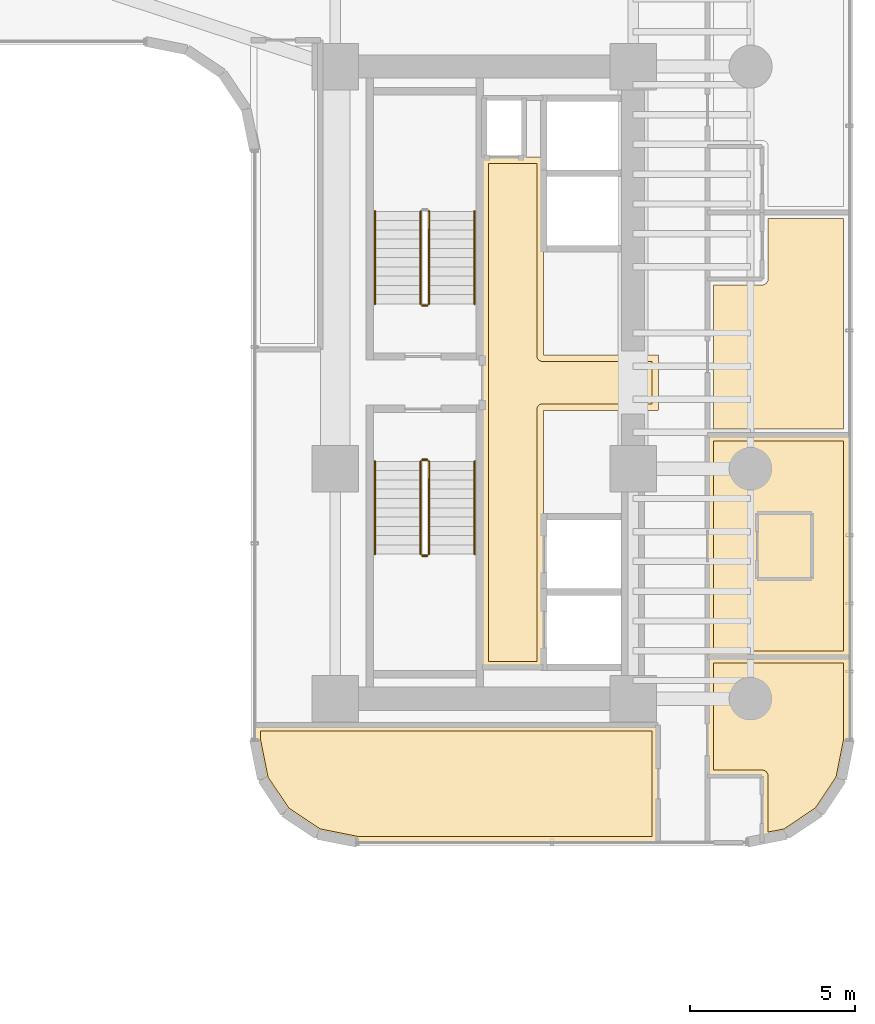
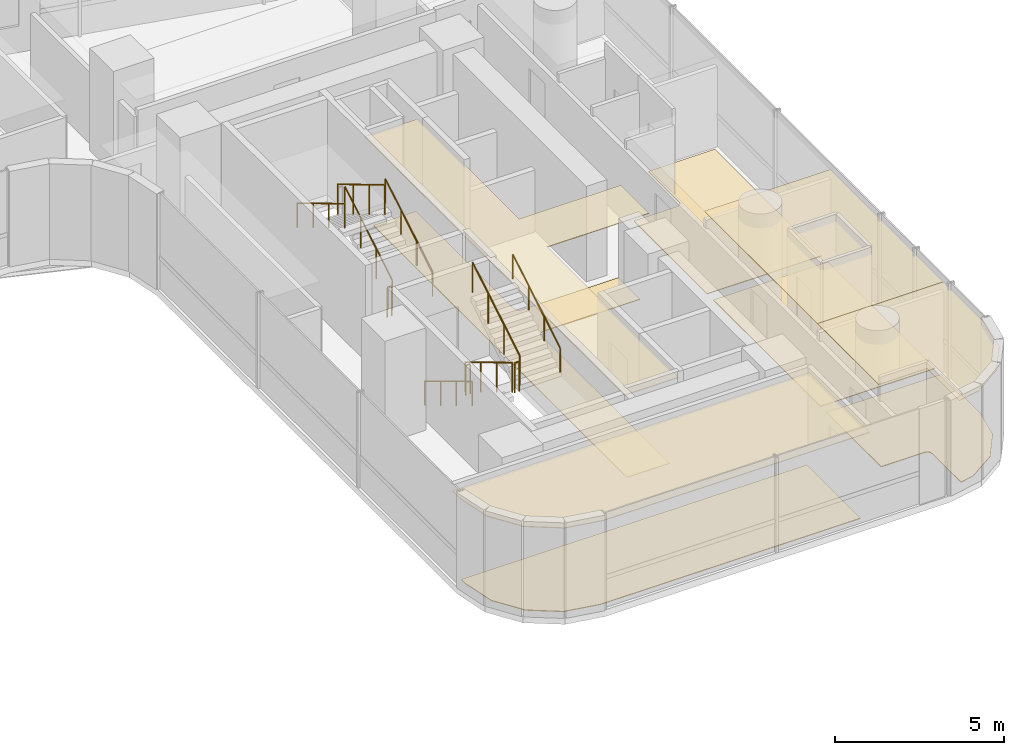
# One storey, part 37 of 39: 11 railings, 9 coverings.
"""IFC4 building model written with IfcOpenShell, lengths in metres."""

from ifc_helpers import new_model, si_unit, direction, frame, origin, origin_2d, place, context, subcontext, project, spatial, polyline, circle, outline, extrude, material, layer, layer_set, type_object, element, save


model = new_model("IFC4")

# Units and contexts
model_context = context("Model", 3, precision=1e-05, world=origin(), true_north=direction((0.0, 1.0)))
body_context = subcontext(model_context, "Body", "Model", "MODEL_VIEW")
ifc_project = project(units=[si_unit("LENGTHUNIT", "METRE"), si_unit("AREAUNIT", "SQUARE_METRE"), si_unit("VOLUMEUNIT", "CUBIC_METRE"), si_unit("PLANEANGLEUNIT", "RADIAN"), si_unit("MASSUNIT", "GRAM", prefix="KILO")], contexts=[model_context])

# Site, building, storey
site_placement = place(None, origin())
site = spatial("IfcSite", under=ifc_project, at=site_placement, CompositionType="ELEMENT")
building_placement = place(site_placement, origin())
building = spatial("IfcBuilding", under=site, at=building_placement, Name="Valdorenza Pilgrim Sanctuary Tower", CompositionType="ELEMENT")
storey_placement = place(building_placement, frame((0.0, 0.0, 70.39990234375)))
storey = spatial("IfcBuildingStorey", under=building, at=storey_placement, Name="L17", CompositionType="ELEMENT", Elevation=70.39990234375)

# Coverings
ifc_material_1 = material(Name="Micro-perforated acoustic mineral ceiling tile", Category="gypsum")
ifc_layer_1 = layer(ifc_material_1, 0.02490234375, Name="Micro-perforated acoustic mineral ceiling tile")
ifc_layer_set_1 = layer_set([ifc_layer_1], Name="Micro-perforated acoustic mineral ceiling tile")
covering_type_1 = type_object("IfcCoveringType", Name="COV-CLG-ACU", PredefinedType="CEILING", material=ifc_layer_set_1)
covering_1_placement = place(storey_placement, frame((0.0, 0.0, 3.16015625)))
element("IfcCovering", 1, at=covering_1_placement, inside=storey, type_object=covering_type_1, Name="L17 Core B Passenger Lift Lobby Acoustic Ceiling", PredefinedType="CEILING", context=body_context, shape_type="SweptSolid", body=[
    extrude(outline(polyline([(20.287109375, -0.814697265625), (20.287109375, 0.814697265625), (20.28662109375, 0.815185546875), (20.2861328125, 0.81640625), (20.28564453125, 0.81787109375), (20.285400390625, 0.819091796875), (20.28515625, 0.820556640625), (20.284912109375, 0.822021484375), (20.284912109375, 6.800048828125), (20.28515625, 6.801513671875), (20.285400390625, 6.802978515625), (20.28564453125, 6.804443359375), (20.2861328125, 6.8056640625), (20.286865234375, 6.80712890625), (20.28759765625, 6.808349609375), (20.288330078125, 6.8095703125), (20.289306640625, 6.810546875), (20.29052734375, 6.8115234375), (20.291748046875, 6.8125), (20.29296875, 6.813232421875), (20.294189453125, 6.81396484375), (20.295654296875, 6.814453125), (20.297119140625, 6.814697265625), (20.298583984375, 6.81494140625), (20.300048828125, 6.81494140625), (20.347900390625, 6.81494140625), (20.349365234375, 6.81494140625), (20.350830078125, 6.814697265625), (20.352294921875, 6.814453125), (20.353515625, 6.81396484375), (20.35498046875, 6.813232421875), (20.35546875, 6.81298828125), (21.544677734375, 6.81298828125), (21.545166015625, 6.813232421875), (21.54638671875, 6.81396484375), (21.5478515625, 6.814453125), (21.54931640625, 6.814697265625), (21.550537109375, 6.81494140625), (21.552001953125, 6.81494140625), (22.1201171875, 6.81494140625), (22.12158203125, 6.81494140625), (22.122802734375, 6.814697265625), (22.12451171875, 6.814453125), (22.125732421875, 6.81396484375), (22.127197265625, 6.813232421875), (22.12841796875, 6.8125), (22.12939453125, 6.8115234375), (22.130615234375, 6.810546875), (22.131591796875, 6.8095703125), (22.132568359375, 6.808349609375), (22.13330078125, 6.80712890625), (22.1337890625, 6.8056640625), (22.134521484375, 6.804443359375), (22.134765625, 6.802978515625), (22.135009765625, 6.801513671875), (22.135009765625, 6.800048828125), (22.135009765625, 0.8349609375), (25.60009765625, 0.8349609375), (25.6015625, 0.8349609375), (25.602783203125, 0.834716796875), (25.6044921875, 0.83447265625), (25.605712890625, 0.833984375), (25.607177734375, 0.833251953125), (25.6083984375, 0.83251953125), (25.609619140625, 0.83154296875), (25.610595703125, 0.83056640625), (25.611572265625, 0.82958984375), (25.612548828125, 0.828369140625), (25.61328125, 0.8271484375), (25.614013671875, 0.82568359375), (25.614501953125, 0.824462890625), (25.61474609375, 0.822998046875), (25.614990234375, 0.821533203125), (25.614990234375, 0.820068359375), (25.614990234375, -0.820068359375), (25.614990234375, -0.821533203125), (25.61474609375, -0.822998046875), (25.614501953125, -0.824462890625), (25.614013671875, -0.82568359375), (25.61328125, -0.8271484375), (25.612548828125, -0.828369140625), (25.611572265625, -0.82958984375), (25.610595703125, -0.83056640625), (25.609619140625, -0.83154296875), (25.6083984375, -0.83251953125), (25.607177734375, -0.833251953125), (25.605712890625, -0.833984375), (25.6044921875, -0.83447265625), (25.602783203125, -0.834716796875), (25.6015625, -0.8349609375), (25.60009765625, -0.8349609375), (22.135009765625, -0.8349609375), (22.135009765625, -8.60009765625), (22.135009765625, -8.6015625), (22.134765625, -8.602783203125), (22.134521484375, -8.6044921875), (22.1337890625, -8.605712890625), (22.13330078125, -8.607177734375), (22.132568359375, -8.6083984375), (22.131591796875, -8.609619140625), (22.130615234375, -8.610595703125), (22.12939453125, -8.611572265625), (22.12841796875, -8.612548828125), (22.127197265625, -8.61328125), (22.125732421875, -8.614013671875), (22.12451171875, -8.614501953125), (22.122802734375, -8.61474609375), (22.12158203125, -8.614990234375), (22.1201171875, -8.614990234375), (20.300048828125, -8.614990234375), (20.298583984375, -8.614990234375), (20.297119140625, -8.61474609375), (20.295654296875, -8.614501953125), (20.294189453125, -8.614013671875), (20.29296875, -8.61328125), (20.291748046875, -8.612548828125), (20.29052734375, -8.611572265625), (20.289306640625, -8.610595703125), (20.288330078125, -8.609619140625), (20.28759765625, -8.6083984375), (20.286865234375, -8.607177734375), (20.2861328125, -8.605712890625), (20.28564453125, -8.6044921875), (20.285400390625, -8.602783203125), (20.28515625, -8.6015625), (20.284912109375, -8.60009765625), (20.284912109375, -0.822021484375), (20.28515625, -0.820556640625), (20.285400390625, -0.819091796875), (20.28564453125, -0.81787109375), (20.2861328125, -0.81640625), (20.28662109375, -0.815185546875), (20.287109375, -0.814697265625)])), origin(), (0.0, 0.0, 1.0), 0.02490234375),
])
covering_2_placement = place(storey_placement, frame((0.0, 0.0, 3.16015625)))
element("IfcCovering", 2, at=covering_2_placement, inside=storey, type_object=covering_type_1, Name="L17 Theological Reference Library L17-BS Acoustic Ceiling", PredefinedType="CEILING", context=body_context, shape_type="SweptSolid", body=[
    extrude(outline(polyline([(25.614990234375, -13.889892578125), (25.614990234375, -13.8916015625), (25.61474609375, -13.892822265625), (25.614501953125, -13.894287109375), (25.614013671875, -13.895751953125), (25.61328125, -13.897216796875), (25.612548828125, -13.898193359375), (25.611572265625, -13.8994140625), (25.610595703125, -13.900634765625), (25.609619140625, -13.901611328125), (25.6083984375, -13.902587890625), (25.607177734375, -13.9033203125), (25.605712890625, -13.90380859375), (25.6044921875, -13.904296875), (25.602783203125, -13.90478515625), (25.6015625, -13.90478515625), (25.60009765625, -13.905029296875), (16.5107421875, -13.905029296875), (16.509521484375, -13.90478515625), (16.5078125, -13.90478515625), (15.3154296875, -13.66748046875), (15.31396484375, -13.6669921875), (15.3125, -13.66650390625), (15.311279296875, -13.666015625), (15.31005859375, -13.665283203125), (14.308349609375, -12.995849609375), (14.30712890625, -12.9951171875), (14.305908203125, -12.993896484375), (14.304931640625, -12.992919921875), (14.30419921875, -12.99169921875), (13.634765625, -11.989990234375), (13.634033203125, -11.98876953125), (13.63330078125, -11.9873046875), (13.6328125, -11.986083984375), (13.632568359375, -11.984619140625), (13.395263671875, -10.7919921875), (13.39501953125, -10.79052734375), (13.39501953125, -10.789306640625), (13.39501953125, -10.35009765625), (13.39501953125, -10.348388671875), (13.395263671875, -10.34716796875), (13.3955078125, -10.345703125), (13.39599609375, -10.34423828125), (13.396728515625, -10.343017578125), (13.3974609375, -10.341796875), (13.3984375, -10.340576171875), (13.3994140625, -10.33935546875), (13.400390625, -10.33837890625), (13.401611328125, -10.33740234375), (13.40283203125, -10.3369140625), (13.404296875, -10.336181640625), (13.405517578125, -10.335693359375), (13.406982421875, -10.335205078125), (13.408447265625, -10.335205078125), (13.409912109375, -10.3349609375), (25.60009765625, -10.3349609375), (25.6015625, -10.335205078125), (25.602783203125, -10.335205078125), (25.6044921875, -10.335693359375), (25.605712890625, -10.336181640625), (25.607177734375, -10.3369140625), (25.6083984375, -10.33740234375), (25.609619140625, -10.33837890625), (25.610595703125, -10.33935546875), (25.611572265625, -10.340576171875), (25.612548828125, -10.341796875), (25.61328125, -10.343017578125), (25.614013671875, -10.34423828125), (25.614501953125, -10.345703125), (25.61474609375, -10.34716796875), (25.614990234375, -10.348388671875), (25.614990234375, -10.35009765625), (25.614990234375, -13.889892578125)])), origin(), (0.0, 0.0, 1.0), 0.02490234375),
])
covering_3_placement = place(storey_placement, frame((0.0, 0.0, 3.16015625)))
element("IfcCovering", 3, at=covering_3_placement, inside=storey, type_object=covering_type_1, Name="L17 East Sanctuary Guest Room L17-EG1 Acoustic Ceiling", PredefinedType="CEILING", context=body_context, shape_type="SweptSolid", body=[
    extrude(outline(polyline([(28.737060546875, -11.903076171875), (27.10009765625, -11.903076171875), (27.098388671875, -11.90283203125), (27.09716796875, -11.902587890625), (27.095703125, -11.90234375), (27.09423828125, -11.90185546875), (27.093017578125, -11.901123046875), (27.091796875, -11.900390625), (27.090576171875, -11.899658203125), (27.08935546875, -11.898681640625), (27.08837890625, -11.8974609375), (27.08740234375, -11.896240234375), (27.0869140625, -11.89501953125), (27.086181640625, -11.893798828125), (27.085693359375, -11.892333984375), (27.085205078125, -11.890869140625), (27.085205078125, -11.889404296875), (27.0849609375, -11.887939453125), (27.0849609375, -8.287109375), (27.085205078125, -8.285400390625), (27.085205078125, -8.2841796875), (27.085693359375, -8.28271484375), (27.086181640625, -8.28125), (27.0869140625, -8.27978515625), (27.08740234375, -8.27880859375), (27.08837890625, -8.277587890625), (27.08935546875, -8.2763671875), (27.090576171875, -8.275390625), (27.091796875, -8.2744140625), (27.093017578125, -8.273681640625), (27.09423828125, -8.273193359375), (27.095703125, -8.272705078125), (27.09716796875, -8.272216796875), (27.098388671875, -8.272216796875), (27.10009765625, -8.27197265625), (31.389892578125, -8.27197265625), (31.3916015625, -8.272216796875), (31.392822265625, -8.272216796875), (31.394287109375, -8.272705078125), (31.395751953125, -8.273193359375), (31.397216796875, -8.273681640625), (31.398193359375, -8.2744140625), (31.3994140625, -8.275390625), (31.400634765625, -8.2763671875), (31.401611328125, -8.277587890625), (31.402587890625, -8.27880859375), (31.4033203125, -8.27978515625), (31.40380859375, -8.28125), (31.404296875, -8.28271484375), (31.40478515625, -8.2841796875), (31.40478515625, -8.285400390625), (31.405029296875, -8.287109375), (31.405029296875, -10.789306640625), (31.40478515625, -10.79052734375), (31.40478515625, -10.7919921875), (31.16748046875, -11.984619140625), (31.1669921875, -11.986083984375), (31.16650390625, -11.9873046875), (31.166015625, -11.98876953125), (31.165283203125, -11.989990234375), (30.495849609375, -12.99169921875), (30.4951171875, -12.992919921875), (30.493896484375, -12.993896484375), (30.492919921875, -12.9951171875), (30.49169921875, -12.995849609375), (29.489990234375, -13.665283203125), (29.48876953125, -13.666015625), (29.4873046875, -13.66650390625), (29.486083984375, -13.6669921875), (29.484619140625, -13.66748046875), (28.7548828125, -13.8125), (28.75341796875, -13.81298828125), (28.751953125, -13.81298828125), (28.75048828125, -13.81298828125), (28.7490234375, -13.8125), (28.74755859375, -13.812255859375), (28.746337890625, -13.811767578125), (28.744873046875, -13.811279296875), (28.74365234375, -13.810302734375), (28.742431640625, -13.8095703125), (28.741455078125, -13.80859375), (28.740478515625, -13.807373046875), (28.739501953125, -13.806396484375), (28.73876953125, -13.804931640625), (28.738037109375, -13.8037109375), (28.737548828125, -13.80224609375), (28.7373046875, -13.80078125), (28.737060546875, -13.79931640625), (28.737060546875, -13.7978515625), (28.737060546875, -11.903076171875)])), origin(), (0.0, 0.0, 1.0), 0.02490234375),
])
covering_4_placement = place(storey_placement, frame((0.0, 0.0, 3.16015625)))
element("IfcCovering", 4, at=covering_4_placement, inside=storey, type_object=covering_type_1, Name="L17 East Sanctuary Guest Room L17-EG2 Acoustic Ceiling", PredefinedType="CEILING", context=body_context, shape_type="SweptSolid", body=[
    extrude(outline(polyline([(31.389892578125, -1.56005859375), (31.3916015625, -1.56005859375), (31.392822265625, -1.560302734375), (31.394287109375, -1.560546875), (31.395751953125, -1.56103515625), (31.397216796875, -1.561767578125), (31.398193359375, -1.5625), (31.3994140625, -1.5634765625), (31.400634765625, -1.564453125), (31.401611328125, -1.5654296875), (31.402587890625, -1.566650390625), (31.4033203125, -1.56787109375), (31.40380859375, -1.5693359375), (31.404296875, -1.570556640625), (31.40478515625, -1.572021484375), (31.40478515625, -1.573486328125), (31.405029296875, -1.574951171875), (31.405029296875, -8.284912109375), (31.40478515625, -8.28662109375), (31.40478515625, -8.287841796875), (31.404296875, -8.289306640625), (31.40380859375, -8.290771484375), (31.4033203125, -8.2919921875), (31.402587890625, -8.293212890625), (31.401611328125, -8.29443359375), (31.400634765625, -8.295654296875), (31.3994140625, -8.296630859375), (31.398193359375, -8.297607421875), (31.397216796875, -8.298095703125), (31.395751953125, -8.298828125), (31.394287109375, -8.29931640625), (31.392822265625, -8.2998046875), (31.3916015625, -8.2998046875), (31.389892578125, -8.300048828125), (27.10009765625, -8.300048828125), (27.098388671875, -8.2998046875), (27.09716796875, -8.2998046875), (27.095703125, -8.29931640625), (27.09423828125, -8.298828125), (27.093017578125, -8.298095703125), (27.091796875, -8.297607421875), (27.090576171875, -8.296630859375), (27.08935546875, -8.295654296875), (27.08837890625, -8.29443359375), (27.08740234375, -8.293212890625), (27.0869140625, -8.2919921875), (27.086181640625, -8.290771484375), (27.085693359375, -8.289306640625), (27.085205078125, -8.287841796875), (27.085205078125, -8.28662109375), (27.0849609375, -8.284912109375), (27.0849609375, -1.574951171875), (27.085205078125, -1.573486328125), (27.085205078125, -1.572021484375), (27.085693359375, -1.570556640625), (27.086181640625, -1.5693359375), (27.0869140625, -1.56787109375), (27.08740234375, -1.566650390625), (27.08837890625, -1.5654296875), (27.08935546875, -1.564453125), (27.090576171875, -1.5634765625), (27.091796875, -1.5625), (27.093017578125, -1.561767578125), (27.09423828125, -1.56103515625), (27.095703125, -1.560546875), (27.09716796875, -1.560302734375), (27.098388671875, -1.56005859375), (27.10009765625, -1.56005859375), (31.389892578125, -1.56005859375)])), origin(), (0.0, 0.0, 1.0), 0.02490234375),
])
ifc_material_2 = material(Name="Engineered European oak timber flooring", Category="wood")
ifc_layer_2 = layer(ifc_material_2, 0.02197265625, Name="Engineered European oak timber flooring")
ifc_layer_set_2 = layer_set([ifc_layer_2], Name="Engineered European oak timber flooring")
covering_type_2 = type_object("IfcCoveringType", Name="COV-FLR-OAK", PredefinedType="FLOORING", material=ifc_layer_set_2)
covering_5_placement = place(storey_placement, origin())
element("IfcCovering", 5, at=covering_5_placement, inside=storey, type_object=covering_type_2, Name="L17 East Sanctuary Guest Room L17-EG1 Flooring", PredefinedType="FLOORING", context=body_context, shape_type="SweptSolid", body=[
    extrude(outline(polyline([(31.2099609375, -10.771484375), (30.983154296875, -11.911376953125), (30.353515625, -12.853515625), (29.411376953125, -13.483154296875), (28.931884765625, -13.57861328125), (28.931884765625, -11.889892578125), (28.931884765625, -11.881103515625), (28.931884765625, -11.881103515625), (28.929931640625, -11.86328125), (28.929931640625, -11.86328125), (28.926513671875, -11.845947265625), (28.926513671875, -11.845703125), (28.92138671875, -11.828857421875), (28.92138671875, -11.82861328125), (28.91455078125, -11.812255859375), (28.91455078125, -11.81201171875), (28.90625, -11.79638671875), (28.906005859375, -11.79638671875), (28.896240234375, -11.78173828125), (28.89599609375, -11.781494140625), (28.885009765625, -11.767822265625), (28.884765625, -11.767578125), (28.872314453125, -11.755126953125), (28.8720703125, -11.755126953125), (28.8583984375, -11.743896484375), (28.8583984375, -11.743896484375), (28.843505859375, -11.73388671875), (28.843505859375, -11.73388671875), (28.827880859375, -11.7255859375), (28.82763671875, -11.725341796875), (28.811279296875, -11.71875), (28.811279296875, -11.718505859375), (28.794189453125, -11.71337890625), (28.794189453125, -11.71337890625), (28.77685546875, -11.7099609375), (28.776611328125, -11.7099609375), (28.759033203125, -11.708251953125), (28.7587890625, -11.708251953125), (28.75, -11.7080078125), (27.280029296875, -11.7080078125), (27.280029296875, -8.467041015625), (31.2099609375, -8.467041015625), (31.2099609375, -10.771484375)])), origin(), (0.0, 0.0, 1.0), 0.025146484375),
])
covering_6_placement = place(storey_placement, origin())
element("IfcCovering", 6, at=covering_6_placement, inside=storey, type_object=covering_type_2, Name="L17 East Sanctuary Guest Room L17-EG2 Flooring", PredefinedType="FLOORING", context=body_context, shape_type="SweptSolid", body=[
    extrude(outline(polyline([(31.2099609375, -1.7548828125), (31.2099609375, -8.10498046875), (27.280029296875, -8.10498046875), (27.280029296875, -1.7548828125), (31.2099609375, -1.7548828125)])), origin(), (0.0, 0.0, 1.0), 0.025146484375),
])
covering_7_placement = place(storey_placement, origin())
element("IfcCovering", 7, at=covering_7_placement, inside=storey, type_object=covering_type_2, Name="L17 East Sanctuary Guest Room L17-EG3 Flooring", PredefinedType="FLOORING", context=body_context, shape_type="SweptSolid", body=[
    extrude(outline(polyline([(27.280029296875, 2.9560546875), (28.75, 2.9560546875), (28.7587890625, 2.956298828125), (28.759033203125, 2.956298828125), (28.776611328125, 2.9580078125), (28.77685546875, 2.9580078125), (28.794189453125, 2.96142578125), (28.794189453125, 2.96142578125), (28.811279296875, 2.966552734375), (28.811279296875, 2.966796875), (28.82763671875, 2.973388671875), (28.827880859375, 2.973388671875), (28.843505859375, 2.981689453125), (28.843505859375, 2.98193359375), (28.8583984375, 2.99169921875), (28.8583984375, 2.991943359375), (28.8720703125, 3.003173828125), (28.872314453125, 3.003173828125), (28.884765625, 3.015625), (28.885009765625, 3.015869140625), (28.89599609375, 3.029541015625), (28.896240234375, 3.02978515625), (28.906005859375, 3.04443359375), (28.90625, 3.04443359375), (28.91455078125, 3.06005859375), (28.91455078125, 3.060302734375), (28.92138671875, 3.07666015625), (28.92138671875, 3.076904296875), (28.926513671875, 3.09375), (28.926513671875, 3.093994140625), (28.929931640625, 3.111083984375), (28.929931640625, 3.111328125), (28.931884765625, 3.12890625), (28.931884765625, 3.129150390625), (28.931884765625, 3.137939453125), (28.931884765625, 4.9580078125), (31.2099609375, 4.9580078125), (31.2099609375, -1.39306640625), (27.280029296875, -1.39306640625), (27.280029296875, 2.9560546875)])), origin(), (0.0, 0.0, 1.0), 0.025146484375),
])
ifc_material_3 = material(Name="Honed travertine stone flooring", Category="masonry")
ifc_layer_3 = layer(ifc_material_3, 0.030029296875, Name="Honed travertine stone flooring")
ifc_layer_set_3 = layer_set([ifc_layer_3], Name="Honed travertine stone flooring")
covering_type_3 = type_object("IfcCoveringType", Name="COV-FLR-TRV", PredefinedType="FLOORING", material=ifc_layer_set_3)
covering_8_placement = place(storey_placement, origin())
element("IfcCovering", 8, at=covering_8_placement, inside=storey, type_object=covering_type_3, Name="L17 Core B Passenger Lift Lobby Flooring", PredefinedType="FLOORING", context=body_context, shape_type="SweptSolid", body=[
    extrude(outline(polyline([(20.47998046875, 6.617919921875), (21.550048828125, 6.617919921875), (21.550537109375, 6.617919921875), (21.93994140625, 6.619384765625), (21.93994140625, 0.820068359375), (21.94091796875, 0.802490234375), (21.943603515625, 0.784912109375), (21.94775390625, 0.767578125), (21.95361328125, 0.751220703125), (21.961181640625, 0.735107421875), (21.97021484375, 0.719970703125), (21.98095703125, 0.705810546875), (21.99267578125, 0.692626953125), (22.005859375, 0.680908203125), (22.02001953125, 0.67041015625), (22.03515625, 0.661376953125), (22.051025390625, 0.65380859375), (22.067626953125, 0.647705078125), (22.0849609375, 0.6435546875), (22.102294921875, 0.640869140625), (22.1201171875, 0.639892578125), (25.419921875, 0.639892578125), (25.419921875, -0.639892578125), (22.1201171875, -0.639892578125), (22.102294921875, -0.640869140625), (22.0849609375, -0.6435546875), (22.067626953125, -0.647705078125), (22.051025390625, -0.65380859375), (22.03515625, -0.661376953125), (22.02001953125, -0.67041015625), (22.005859375, -0.680908203125), (21.99267578125, -0.692626953125), (21.98095703125, -0.705810546875), (21.97021484375, -0.719970703125), (21.961181640625, -0.735107421875), (21.95361328125, -0.751220703125), (21.94775390625, -0.767578125), (21.943603515625, -0.784912109375), (21.94091796875, -0.802490234375), (21.93994140625, -0.820068359375), (21.93994140625, -8.419921875), (20.47998046875, -8.419921875), (20.47998046875, -0.846923828125), (20.47998046875, -0.8466796875), (20.47998046875, -0.8466796875), (20.481689453125, -0.8291015625), (20.481689453125, -0.828857421875), (20.48193359375, -0.820068359375), (20.48193359375, 0.820068359375), (20.47998046875, 6.617919921875)])), origin(), (0.0, 0.0, 1.0), 0.025146484375),
])
covering_9_placement = place(storey_placement, origin())
element("IfcCovering", 9, at=covering_9_placement, inside=storey, type_object=covering_type_3, Name="L17 Theological Reference Library L17-BS Flooring", PredefinedType="FLOORING", context=body_context, shape_type="SweptSolid", body=[
    extrude(outline(polyline([(25.419921875, -13.7099609375), (16.528564453125, -13.7099609375), (15.388671875, -13.483154296875), (14.4462890625, -12.853515625), (13.81689453125, -11.911376953125), (13.590087890625, -10.771484375), (13.590087890625, -10.530029296875), (25.419921875, -10.530029296875), (25.419921875, -13.7099609375)])), origin(), (0.0, 0.0, 1.0), 0.025146484375),
])

# Railings
ifc_material_4 = material(Name="Stainless steel Grade 316", Category="steel")
railing_type_1 = type_object("IfcRailingType", Name="RLG-GRD-1120", PredefinedType="GUARDRAIL", material=ifc_material_4)
railing_1_placement = place(storey_placement, frame((18.679931640625, 2.3798828125, 0.168212890625)))
element("IfcRailing", 10, at=railing_1_placement, inside=storey, type_object=railing_type_1, Name="L17 ST-B1 stair guard 1", PredefinedType="GUARDRAIL", context=body_context, shape_type="SweptSolid", body=[
    extrude(circle(Radius=0.02392578125, at=origin_2d()), frame((0.0, 0.0, 1.076171875), z_axis=(0.0, 0.857242210791, 0.514913383045), x_axis=(-1.0, 0.0, 0.0)), (0.0, 0.0, 1.0), 3.266357421875),
    extrude(circle(Radius=0.02099609375, at=origin_2d()), origin(), (0.0, 0.0, 1.0), 1.052001953125),
    extrude(circle(Radius=0.02099609375, at=origin_2d()), frame((0.0, 0.933349609375, 0.560546875)), (0.0, 0.0, 1.0), 1.052001953125),
    extrude(circle(Radius=0.02099609375, at=origin_2d()), frame((0.0, 1.86669921875, 1.121337890625)), (0.0, 0.0, 1.0), 1.052001953125),
    extrude(circle(Radius=0.02099609375, at=origin_2d()), frame((0.0, 2.800048828125, 1.681884765625)), (0.0, 0.0, 1.0), 1.052001953125),
])
railing_2_placement = place(storey_placement, frame((18.429931640625, 5.179931640625, 2.018310546875)))
element("IfcRailing", 11, at=railing_2_placement, inside=storey, type_object=railing_type_1, Name="L17 ST-B1 stair guard 3", PredefinedType="GUARDRAIL", context=body_context, shape_type="SweptSolid", body=[
    extrude(circle(Radius=0.02392578125, at=origin_2d()), frame((0.0, 0.0, 1.076171875), z_axis=(0.0, -0.857242210791, 0.514913383045), x_axis=(1.0, 0.0, 0.0)), (0.0, 0.0, 1.0), 3.266357421875),
    extrude(circle(Radius=0.02099609375, at=origin_2d()), origin(), (0.0, 0.0, 1.0), 1.052001953125),
    extrude(circle(Radius=0.02099609375, at=origin_2d()), frame((0.0, -0.933349609375, 0.560546875)), (0.0, 0.0, 1.0), 1.052001953125),
    extrude(circle(Radius=0.02099609375, at=origin_2d()), frame((0.0, -1.86669921875, 1.121337890625)), (0.0, 0.0, 1.0), 1.052001953125),
    extrude(circle(Radius=0.02099609375, at=origin_2d()), frame((0.0, -2.800048828125, 1.681884765625)), (0.0, 0.0, 1.0), 1.052001953125),
])
railing_3_placement = place(storey_placement, frame((18.6298828125, 2.330078125, 0.0)))
element("IfcRailing", 12, at=railing_3_placement, inside=storey, type_object=railing_type_1, Name="L17 ST-B1 stair guard 4", PredefinedType="GUARDRAIL", context=body_context, shape_type="SweptSolid", body=[
    extrude(circle(Radius=0.02392578125, at=origin_2d()), frame((0.0, 0.0, 1.076171875), z_axis=(-1.0, 0.0, 0.0), x_axis=(0.0, -1.0, 0.0)), (0.0, 0.0, 1.0), 0.14990234375),
    extrude(circle(Radius=0.02099609375, at=origin_2d()), origin(), (0.0, 0.0, 1.0), 1.052001953125),
    extrude(circle(Radius=0.02099609375, at=origin_2d()), frame((-0.14990234375, 0.0, 0.0)), (0.0, 0.0, 1.0), 1.052001953125),
])
railing_4_placement = place(storey_placement, frame((18.429931640625, -2.3798828125, 0.168212890625)))
element("IfcRailing", 13, at=railing_4_placement, inside=storey, type_object=railing_type_1, Name="L17 ST-B2 stair guard 1", PredefinedType="GUARDRAIL", context=body_context, shape_type="SweptSolid", body=[
    extrude(circle(Radius=0.02392578125, at=origin_2d()), frame((0.0, 0.0, 1.076171875), z_axis=(0.0, -0.857242210791, 0.514913383045), x_axis=(1.0, 0.0, 0.0)), (0.0, 0.0, 1.0), 3.266357421875),
    extrude(circle(Radius=0.02099609375, at=origin_2d()), origin(), (0.0, 0.0, 1.0), 1.052001953125),
    extrude(circle(Radius=0.02099609375, at=origin_2d()), frame((0.0, -0.933349609375, 0.560546875)), (0.0, 0.0, 1.0), 1.052001953125),
    extrude(circle(Radius=0.02099609375, at=origin_2d()), frame((0.0, -1.86669921875, 1.121337890625)), (0.0, 0.0, 1.0), 1.052001953125),
    extrude(circle(Radius=0.02099609375, at=origin_2d()), frame((0.0, -2.800048828125, 1.681884765625)), (0.0, 0.0, 1.0), 1.052001953125),
])
railing_5_placement = place(storey_placement, frame((18.47998046875, -5.22998046875, 1.85009765625)))
element("IfcRailing", 14, at=railing_5_placement, inside=storey, type_object=railing_type_1, Name="L17 ST-B2 stair guard 2", PredefinedType="GUARDRAIL", context=body_context, shape_type="SweptSolid", body=[
    extrude(circle(Radius=0.02392578125, at=origin_2d()), frame((0.0, 0.0, 1.076171875), z_axis=(1.0, 0.0, 0.0), x_axis=(0.0, 1.0, 0.0)), (0.0, 0.0, 1.0), 0.14990234375),
    extrude(circle(Radius=0.02099609375, at=origin_2d()), origin(), (0.0, 0.0, 1.0), 1.052001953125),
    extrude(circle(Radius=0.02099609375, at=origin_2d()), frame((0.14990234375, 0.0, 0.0)), (0.0, 0.0, 1.0), 1.052001953125),
])
railing_6_placement = place(storey_placement, frame((18.679931640625, -5.179931640625, 2.018310546875)))
element("IfcRailing", 15, at=railing_6_placement, inside=storey, type_object=railing_type_1, Name="L17 ST-B2 stair guard 3", PredefinedType="GUARDRAIL", context=body_context, shape_type="SweptSolid", body=[
    extrude(circle(Radius=0.02392578125, at=origin_2d()), frame((0.0, 0.0, 1.076171875), z_axis=(0.0, 0.857242210791, 0.514913383045), x_axis=(-1.0, 0.0, 0.0)), (0.0, 0.0, 1.0), 3.266357421875),
    extrude(circle(Radius=0.02099609375, at=origin_2d()), origin(), (0.0, 0.0, 1.0), 1.052001953125),
    extrude(circle(Radius=0.02099609375, at=origin_2d()), frame((0.0, 0.933349609375, 0.560546875)), (0.0, 0.0, 1.0), 1.052001953125),
    extrude(circle(Radius=0.02099609375, at=origin_2d()), frame((0.0, 1.86669921875, 1.121337890625)), (0.0, 0.0, 1.0), 1.052001953125),
    extrude(circle(Radius=0.02099609375, at=origin_2d()), frame((0.0, 2.800048828125, 1.681884765625)), (0.0, 0.0, 1.0), 1.052001953125),
])
railing_7_placement = place(storey_placement, frame((18.47998046875, -2.330078125, 0.0)))
element("IfcRailing", 16, at=railing_7_placement, inside=storey, type_object=railing_type_1, Name="L17 ST-B2 stair guard 4", PredefinedType="GUARDRAIL", context=body_context, shape_type="SweptSolid", body=[
    extrude(circle(Radius=0.02392578125, at=origin_2d()), frame((0.0, 0.0, 1.076171875), z_axis=(1.0, 0.0, 0.0), x_axis=(0.0, 1.0, 0.0)), (0.0, 0.0, 1.0), 0.14990234375),
    extrude(circle(Radius=0.02099609375, at=origin_2d()), origin(), (0.0, 0.0, 1.0), 1.052001953125),
    extrude(circle(Radius=0.02099609375, at=origin_2d()), frame((0.14990234375, 0.0, 0.0)), (0.0, 0.0, 1.0), 1.052001953125),
])
ifc_material_5 = material(Name="Brushed stainless steel Grade 316", Category="steel")
railing_type_2 = type_object("IfcRailingType", Name="RLG-HND-920", PredefinedType="HANDRAIL", material=ifc_material_5)
railing_8_placement = place(storey_placement, frame((20.06005859375, 2.3798828125, 0.168212890625)))
element("IfcRailing", 17, at=railing_8_placement, inside=storey, type_object=railing_type_2, Name="L17 ST-B1 stair handrail 1", PredefinedType="HANDRAIL", context=body_context, shape_type="SweptSolid", body=[
    extrude(circle(Radius=0.02392578125, at=origin_2d()), frame((0.0, 0.0, 0.8759765625), z_axis=(0.0, 0.857242210791, 0.514913383045), x_axis=(-1.0, 0.0, 0.0)), (0.0, 0.0, 1.0), 3.266357421875),
    extrude(circle(Radius=0.02099609375, at=origin_2d()), origin(), (0.0, 0.0, 1.0), 0.851806640625),
    extrude(circle(Radius=0.02099609375, at=origin_2d()), frame((0.0, 0.933349609375, 0.560546875)), (0.0, 0.0, 1.0), 0.851806640625),
    extrude(circle(Radius=0.02099609375, at=origin_2d()), frame((0.0, 1.86669921875, 1.121337890625)), (0.0, 0.0, 1.0), 0.851806640625),
    extrude(circle(Radius=0.02099609375, at=origin_2d()), frame((0.0, 2.800048828125, 1.681884765625)), (0.0, 0.0, 1.0), 0.851806640625),
])
for number, where, name in (
    (18, (17.050048828125, 5.179931640625, 2.018310546875), "L17 ST-B1 stair handrail 2"),
    (19, (17.050048828125, -2.3798828125, 0.168212890625), "L17 ST-B2 stair handrail 1"),
):
    element("IfcRailing", number, at=place(storey_placement, frame(where)), inside=storey, type_object=railing_type_2, Name=name, PredefinedType="HANDRAIL", context=body_context, shape_type="SweptSolid", body=[
        extrude(circle(Radius=0.02392578125, at=origin_2d()), frame((0.0, 0.0, 0.8759765625), z_axis=(0.0, -0.857242210791, 0.514913383045), x_axis=(1.0, 0.0, 0.0)), (0.0, 0.0, 1.0), 3.266357421875),
        extrude(circle(Radius=0.02099609375, at=origin_2d()), origin(), (0.0, 0.0, 1.0), 0.851806640625),
        extrude(circle(Radius=0.02099609375, at=origin_2d()), frame((0.0, -0.933349609375, 0.560546875)), (0.0, 0.0, 1.0), 0.851806640625),
        extrude(circle(Radius=0.02099609375, at=origin_2d()), frame((0.0, -1.86669921875, 1.121337890625)), (0.0, 0.0, 1.0), 0.851806640625),
        extrude(circle(Radius=0.02099609375, at=origin_2d()), frame((0.0, -2.800048828125, 1.681884765625)), (0.0, 0.0, 1.0), 0.851806640625),
    ])
railing_9_placement = place(storey_placement, frame((20.06005859375, -5.179931640625, 2.018310546875)))
element("IfcRailing", 20, at=railing_9_placement, inside=storey, type_object=railing_type_2, Name="L17 ST-B2 stair handrail 2", PredefinedType="HANDRAIL", context=body_context, shape_type="SweptSolid", body=[
    extrude(circle(Radius=0.02392578125, at=origin_2d()), frame((0.0, 0.0, 0.8759765625), z_axis=(0.0, 0.857242210791, 0.514913383045), x_axis=(-1.0, 0.0, 0.0)), (0.0, 0.0, 1.0), 3.266357421875),
    extrude(circle(Radius=0.02099609375, at=origin_2d()), origin(), (0.0, 0.0, 1.0), 0.851806640625),
    extrude(circle(Radius=0.02099609375, at=origin_2d()), frame((0.0, 0.933349609375, 0.560546875)), (0.0, 0.0, 1.0), 0.851806640625),
    extrude(circle(Radius=0.02099609375, at=origin_2d()), frame((0.0, 1.86669921875, 1.121337890625)), (0.0, 0.0, 1.0), 0.851806640625),
    extrude(circle(Radius=0.02099609375, at=origin_2d()), frame((0.0, 2.800048828125, 1.681884765625)), (0.0, 0.0, 1.0), 0.851806640625),
])

save(model, "model.ifc")
